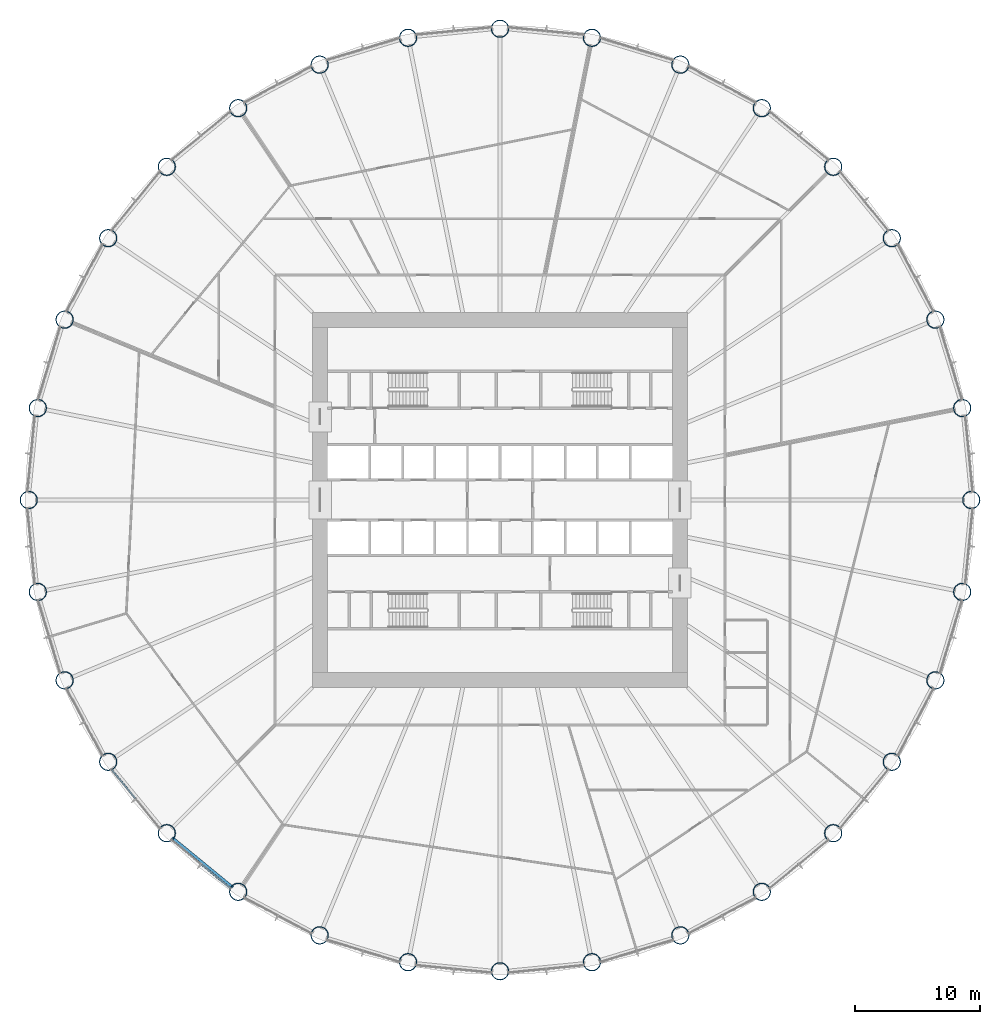
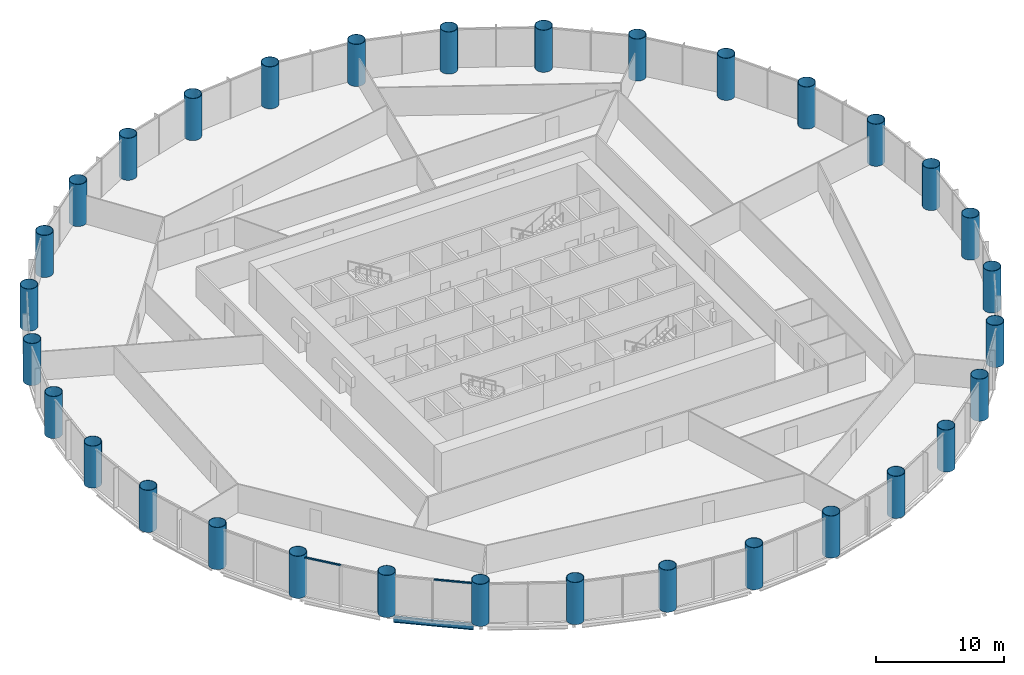
# One storey, part 1 of 15: 32 columns, 2 members, 1 beam, 2 elements without a shape of their own.
"""IFC4 building model written with IfcOpenShell, lengths in metres."""

from ifc_helpers import new_model, si_unit, direction, frame, origin, origin_2d, place, context, subcontext, project, spatial, rectangle, hollow_circle, i_section, extrude, material, material_profile, profile_set, type_object, element, aggregate, save


model = new_model("IFC4")

# Units and contexts
model_context = context("Model", 3, precision=1e-05, world=origin(), true_north=direction((0.0, 1.0)))
body_context = subcontext(model_context, "Body", "Model", "MODEL_VIEW")
ifc_project = project(units=[si_unit("LENGTHUNIT", "METRE"), si_unit("AREAUNIT", "SQUARE_METRE"), si_unit("VOLUMEUNIT", "CUBIC_METRE"), si_unit("PLANEANGLEUNIT", "RADIAN"), si_unit("MASSUNIT", "GRAM", prefix="KILO")], contexts=[model_context])

# Site, building, storey
site_placement = place(None, origin())
site = spatial("IfcSite", under=ifc_project, at=site_placement, CompositionType="ELEMENT")
building_placement = place(site_placement, origin())
building = spatial("IfcBuilding", under=site, at=building_placement, Name="Corvane Civic Tower", CompositionType="ELEMENT")
storey_placement = place(building_placement, frame((0.0, 0.0, 73.0)))
storey = spatial("IfcBuildingStorey", under=building, at=storey_placement, Name="L16", CompositionType="ELEMENT", Elevation=73.0)

# Columns
ifc_material_1 = material(Name="Steel ASTM A572 Gr 50", Category="steel")
ifc_material_profile_1 = material_profile(ifc_material_1, hollow_circle(Radius=0.699951171875, WallThickness=0.0400390625, at=origin_2d()), Name="CHS1400X40")
ifc_profile_set_1 = profile_set([ifc_material_profile_1], Name="Steel ASTM A572 Gr 50")
column_type = type_object("IfcColumnType", Name="COMPOSITE COLUMN CHS1400X40", PredefinedType="COLUMN", material=ifc_profile_set_1)
for number, where, z_axis, x_axis, name in (
    (1, (0.0, 37.699951171875, 0.0), (0.0, 0.0, 1.0), (1.0, 0.0, 0.0), "COL-L16-A01"),
    (2, (7.35498046875, 36.9755859375, 0.0), (0.0, 0.0, 1.0), (1.0, 0.0, 0.0), "COL-L16-A02"),
    (3, (14.42724609375, 34.830322265625, 0.0), (0.0, 0.0, 1.0), (1.0, 0.0, 0.0), "COL-L16-A03"),
    (4, (20.945068359375, 31.346435546875, 0.0), (0.0, 0.0, 1.0), (1.0, 0.0, 0.0), "COL-L16-A04"),
    (5, (26.657958984375, 26.657958984375, 0.0), (0.0, 0.0, 1.0), (1.0, 0.0, 0.0), "COL-L16-A05"),
    (6, (31.346435546875, 20.945068359375, 0.0), (0.0, 0.0, 1.0), (1.0, 0.0, 0.0), "COL-L16-A06"),
    (7, (34.830322265625, 14.42724609375, 0.0), (0.0, 0.0, 1.0), (1.0, 0.0, 0.0), "COL-L16-A07"),
    (8, (36.9755859375, 7.35498046875, 0.0), (0.0, 0.0, 1.0), (1.0, 0.0, 0.0), "COL-L16-A08"),
    (9, (37.699951171875, 0.0, 0.0), (0.0, 0.0, 1.0), (1.0, 0.0, 0.0), "COL-L16-A09"),
    (10, (36.9755859375, -7.35498046875, 0.0), (0.0, 0.0, 1.0), (1.0, 0.0, 0.0), "COL-L16-A10"),
    (11, (34.830322265625, -14.42724609375, 0.0), (0.0, 0.0, 1.0), (1.0, 0.0, 0.0), "COL-L16-A11"),
    (12, (31.346435546875, -20.945068359375, 0.0), (0.0, 0.0, 1.0), (1.0, 0.0, 0.0), "COL-L16-A12"),
    (13, (26.657958984375, -26.657958984375, 0.0), (0.0, 0.0, 1.0), (1.0, 0.0, 0.0), "COL-L16-A13"),
    (14, (20.945068359375, -31.346435546875, 0.0), (0.0, 0.0, 1.0), (1.0, 0.0, 0.0), "COL-L16-A14"),
    (15, (14.42724609375, -34.830322265625, 0.0), (0.0, 0.0, 1.0), (1.0, 0.0, 0.0), "COL-L16-A15"),
    (16, (7.35498046875, -36.9755859375, 0.0), (0.0, 0.0, 1.0), (1.0, 0.0, 0.0), "COL-L16-A16"),
    (17, (0.0, -37.699951171875, 0.0), (0.0, 0.0, 1.0), (1.0, 0.0, 0.0), "COL-L16-A17"),
    (18, (-7.35498046875, -36.9755859375, 0.0), (0.0, 0.0, 1.0), (1.0, 0.0, 0.0), "COL-L16-A18"),
    (19, (-14.42724609375, -34.830322265625, 0.0), (0.0, 0.0, 1.0), (1.0, 0.0, 0.0), "COL-L16-A19"),
    (20, (-20.945068359375, -31.346435546875, 0.0), (0.0, 0.0, 1.0), (1.0, 0.0, 0.0), "COL-L16-A20"),
    (21, (-26.657958984375, -26.657958984375, 0.0), (0.0, 0.0, 1.0), (1.0, 0.0, 0.0), "COL-L16-A21"),
    (22, (-31.346435546875, -20.945068359375, 0.0), (0.0, 0.0, 1.0), (1.0, 0.0, 0.0), "COL-L16-A22"),
    (23, (-34.830322265625, -14.42724609375, 0.0), (0.0, 0.0, 1.0), (1.0, 0.0, 0.0), "COL-L16-A23"),
    (24, (-36.9755859375, -7.35498046875, 0.0), (0.0, 0.0, 1.0), (1.0, 0.0, 0.0), "COL-L16-A24"),
    (25, (-37.699951171875, 0.0, 0.0), (0.0, 0.0, 1.0), (1.0, 0.0, 0.0), "COL-L16-A25"),
    (26, (-36.9755859375, 7.35498046875, 0.0), (0.0, 0.0, 1.0), (1.0, 0.0, 0.0), "COL-L16-A26"),
    (27, (-34.830322265625, 14.42724609375, 0.0), (0.0, 0.0, 1.0), (1.0, 0.0, 0.0), "COL-L16-A27"),
    (28, (-31.346435546875, 20.945068359375, 0.0), (0.0, 0.0, 1.0), (1.0, 0.0, 0.0), "COL-L16-A28"),
    (29, (-26.657958984375, 26.657958984375, 0.0), (0.0, 0.0, 1.0), (1.0, 0.0, 0.0), "COL-L16-A29"),
    (30, (-20.945068359375, 31.346435546875, 0.0), (0.0, 0.0, 1.0), (1.0, 0.0, 0.0), "COL-L16-A30"),
    (31, (-14.42724609375, 34.830322265625, 0.0), (0.0, 0.0, 1.0), (1.0, 0.0, 0.0), "COL-L16-A31"),
    (32, (-7.35498046875, 36.9755859375, 0.0), (0.0, 0.0, 1.0), (1.0, 0.0, 0.0), "COL-L16-A32"),
):
    element("IfcColumn", number, at=place(storey_placement, frame(where, z_axis=z_axis, x_axis=x_axis)), inside=storey, type_object=column_type, Name=name, PredefinedType="COLUMN", context=body_context, shape_type="SweptSolid", body=[
        extrude(hollow_circle(Radius=0.699951171875, WallThickness=0.0400390625, at=origin_2d()), origin(), (0.0, 0.0, 1.0), 4.0),
    ])

# Beam
ifc_material_2 = material(Name="Steel ASTM A992 Gr 50", Category="steel")
ifc_material_profile_2 = material_profile(ifc_material_2, i_section(OverallWidth=0.209228515625, OverallDepth=0.533447265625, WebThickness=0.01025390625, FlangeThickness=0.015625, at=origin_2d()), Name="W21X62")
ifc_profile_set_2 = profile_set([ifc_material_profile_2], Name="Steel ASTM A992 Gr 50")
beam_type = type_object("IfcBeamType", Name="EDGE BEAM W21X62", PredefinedType="BEAM", material=ifc_profile_set_2)
beam_placement = place(storey_placement, frame((-21.3701171875, -30.99755859375, -0.566650390625), z_axis=(-0.773015785286, 0.634386787141, 0.0), x_axis=(-0.634386787141, -0.773015785286, 0.0)))
element("IfcBeam", 33, at=beam_placement, inside=storey, type_object=beam_type, Name="BM-L16-E20", PredefinedType="BEAM", context=body_context, shape_type="SweptSolid", body=[
    extrude(i_section(OverallWidth=0.209228515625, OverallDepth=0.533447265625, WebThickness=0.01025390625, FlangeThickness=0.015625, at=origin_2d()), origin(), (0.0, 0.0, 1.0), 6.290771484375),
])

# Curtain wall, member
ifc_material_3 = material(Name="Anodised aluminium bronze", Category="aluminium")
curtain_wall_type = type_object("IfcCurtainWallType", Name="TOWER CW-T1 STICK CURTAIN WALL", PredefinedType="NOTDEFINED", material=ifc_material_3)
curtain_wall_1_placement = place(storey_placement, origin())
curtain_wall_1 = element("IfcCurtainWall", 34, at=curtain_wall_1_placement, inside=storey, type_object=curtain_wall_type, Name="Curtain wall CW-T1 L16 bay 20", PredefinedType="NOTDEFINED")
ifc_material_4 = material(Name="Anodised aluminium bronze", Category="aluminium")
ifc_material_profile_3 = material_profile(ifc_material_4, rectangle(XDim=0.139892578125, YDim=0.1201171875, at=origin_2d()), Name="TOWER CW-T1 TRANSOM 140x120")
ifc_profile_set_3 = profile_set([ifc_material_profile_3], Name="Anodised aluminium bronze")
member_type = type_object("IfcMemberType", Name="TOWER CW-T1 TRANSOM 140x120", PredefinedType="USERDEFINED", material=ifc_profile_set_3)
member_1_placement = place(storey_placement, frame((-21.55859375, -31.074462890625, 3.68994140625), z_axis=(-0.773041738279, 0.634355161466, 0.0), x_axis=(-0.634355161466, -0.773041738279, 0.0)))
member_1 = element("IfcMember", 35, at=member_1_placement, type_object=member_type, Name="Transom CW-T1 L16 20.1", ObjectType="TRANSOM", PredefinedType="USERDEFINED", context=body_context, shape_type="SweptSolid", body=[
    extrude(rectangle(XDim=0.139892578125, YDim=0.1201171875, at=origin_2d()), origin(), (0.0, 0.0, 1.0), 3.008544921875),
])
aggregate(curtain_wall_1, [member_1])

curtain_wall_2_placement = place(storey_placement, origin())
curtain_wall_2 = element("IfcCurtainWall", 36, at=curtain_wall_2_placement, inside=storey, type_object=curtain_wall_type, Name="Curtain wall CW-T1 L16 bay 21", PredefinedType="NOTDEFINED")
member_2_placement = place(storey_placement, frame((-29.166015625, -23.88427734375, 3.68994140625), z_axis=(-0.634355161466, 0.773041738279, 0.0), x_axis=(-0.773041738279, -0.634355161466, 0.0)))
member_2 = element("IfcMember", 37, at=member_2_placement, type_object=member_type, Name="Transom CW-T1 L16 21.2", ObjectType="TRANSOM", PredefinedType="USERDEFINED", context=body_context, shape_type="SweptSolid", body=[
    extrude(rectangle(XDim=0.139892578125, YDim=0.1201171875, at=origin_2d()), origin(), (0.0, 0.0, 1.0), 3.008544921875),
])
aggregate(curtain_wall_2, [member_2])

save(model, "model.ifc")
